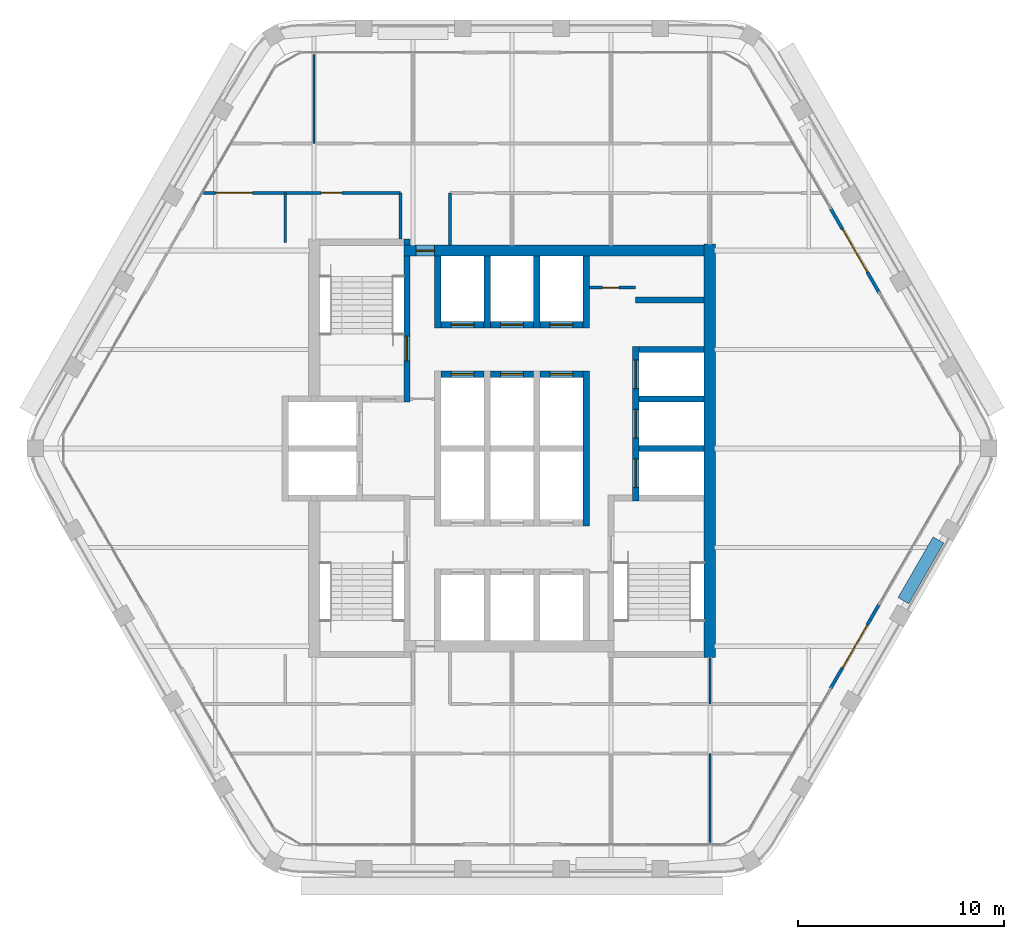
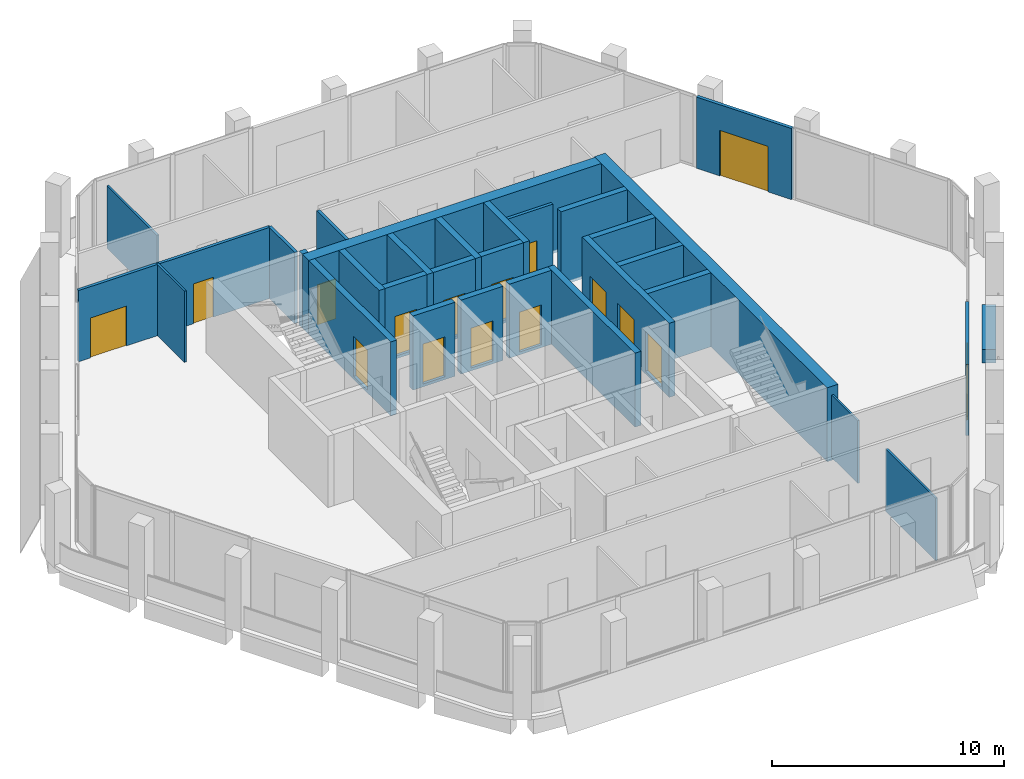
# One storey, part 9 of 14: 31 walls, 16 doors, 16 openings.
"""IFC4 building model written with IfcOpenShell, lengths in metres."""

import ifcopenshell
import ifcopenshell.guid

model = None  # the IFC model being written
_history = None  # IfcOwnerHistory: only IFC2X3 demands one
_inside = {}  # id of a spatial element -> (the spatial element, [elements in it])
_under = {}  # id of a project, library or spatial element -> (it, [spatial elements below it])
_declared = {}  # id of a project -> (the project, [libraries it declares])
_typed = {}  # id of a type object -> (the type object, [elements of that type])
_made_of = {}  # id of a material, layer set ... -> (it, [elements and type objects made of it])


def new_model(schema):
    """Start an empty IFC model of exactly this schema.

    Asked for "IFC4X3", IfcOpenShell would pick the latest addendum, in which some entities
    have other attributes; the version numbers below select the first issue.
    IFC2X3 requires an IfcOwnerHistory on every rooted entity: one is made here for all.
    """
    global model, _history
    if schema == "IFC4X3":
        model = ifcopenshell.file(schema_version=(4, 3, 0, 0))
    else:
        model = ifcopenshell.file(schema=schema)
    _inside.clear()
    _under.clear()
    _declared.clear()
    _typed.clear()
    _made_of.clear()
    _history = None
    if model.schema == "IFC2X3":
        org = make("IfcOrganization", Name="unknown")
        user = make(
            "IfcPersonAndOrganization",
            ThePerson=make("IfcPerson", FamilyName="unknown"),
            TheOrganization=org,
        )
        app = make(
            "IfcApplication",
            ApplicationDeveloper=org,
            Version="unknown",
            ApplicationFullName="unknown",
            ApplicationIdentifier="unknown",
        )
        _history = make(
            "IfcOwnerHistory",
            OwningUser=user,
            OwningApplication=app,
            ChangeAction="ADDED",
            CreationDate=0,
        )
    return model


def make(cls, **values):
    """One entity of the class cls with the attributes given. An attribute that is None is left unset."""
    return model.create_entity(
        cls, **{name: value for name, value in values.items() if value is not None}
    )


def rooted(cls, **values):
    """An entity with a GlobalId (a new one), such as an element, a storey or a relation."""
    return make(cls, GlobalId=ifcopenshell.guid.new(), OwnerHistory=_history, **values)


def si_unit(unit_type, name, prefix=None):
    """IfcSIUnit, for example si_unit("LENGTHUNIT", "METRE", prefix="MILLI")."""
    return make("IfcSIUnit", UnitType=unit_type, Prefix=prefix, Name=name)


def assignment(units):
    """IfcUnitAssignment: the units of a project."""
    return None if units is None else make("IfcUnitAssignment", Units=units)


def point(xyz):
    """IfcCartesianPoint."""
    return None if xyz is None else make("IfcCartesianPoint", Coordinates=xyz)


def direction(xyz):
    """IfcDirection."""
    return None if xyz is None else make("IfcDirection", DirectionRatios=xyz)


def frame(location, z_axis=None, x_axis=None):
    """IfcAxis2Placement3D, a coordinate frame: its origin and axes. An axis left out is left unset."""
    return make(
        "IfcAxis2Placement3D",
        Location=point(location),
        Axis=direction(z_axis),
        RefDirection=direction(x_axis),
    )


def frame_2d(location, x_axis=None):
    """IfcAxis2Placement2D, a coordinate frame in the plane: its origin and x axis."""
    return make(
        "IfcAxis2Placement2D", Location=point(location), RefDirection=direction(x_axis)
    )


def origin():
    """The frame at (0, 0, 0) with its axes left unset."""
    return frame((0.0, 0.0, 0.0))


def place(relative_to, where):
    """IfcLocalPlacement: puts the frame where relative to a parent placement (None: the world)."""
    return make(
        "IfcLocalPlacement", PlacementRelTo=relative_to, RelativePlacement=where
    )


def context(
    kind, dimensions, precision=None, world=None, true_north=None, identifier=None
):
    """IfcGeometricRepresentationContext, for example the 3D "Model" context."""
    return make(
        "IfcGeometricRepresentationContext",
        ContextIdentifier=identifier,
        ContextType=kind,
        CoordinateSpaceDimension=dimensions,
        Precision=precision,
        WorldCoordinateSystem=world,
        TrueNorth=true_north,
    )


def subcontext(parent, identifier, kind, view, scale=None):
    """IfcGeometricRepresentationSubContext, for example "Body" below "Model"."""
    return make(
        "IfcGeometricRepresentationSubContext",
        ContextIdentifier=identifier,
        ContextType=kind,
        ParentContext=parent,
        TargetScale=scale,
        TargetView=view,
    )


def project(units=None, contexts=None):
    """IfcProject with its units and contexts."""
    return rooted(
        "IfcProject",
        Name="project",
        RepresentationContexts=contexts,
        UnitsInContext=assignment(units),
    )


def spatial(cls, under=None, at=None, **own):
    """A site, building, storey or space (cls), placed at a placement, below another one or the project."""
    s = rooted(cls, ObjectPlacement=at, **own)
    if under is not None:
        _under.setdefault(under.id(), (under, []))[1].append(s)
    return s


def profile(cls, at=None, kind="AREA", **sizes):
    """A parametric profile (cls). Its sizes go by their IFC names, for example OverallWidth=200.0."""
    return make(cls, ProfileType=kind, Position=at, **sizes)


def rectangle(**sizes):
    """IfcRectangleProfileDef."""
    return profile("IfcRectangleProfileDef", **sizes)


def extrude(swept, where, along, depth):
    """IfcExtrudedAreaSolid: the profile swept, set in the frame where, extruded along a direction by depth."""
    return make(
        "IfcExtrudedAreaSolid",
        SweptArea=swept,
        Position=where,
        ExtrudedDirection=direction(along),
        Depth=depth,
    )


def shape(context_of_items, identifier, shape_type, items):
    """IfcShapeRepresentation: the items that make up one representation, for example the "Body"."""
    return make(
        "IfcShapeRepresentation",
        ContextOfItems=context_of_items,
        RepresentationIdentifier=identifier,
        RepresentationType=shape_type,
        Items=items,
    )


def material(Name=None, Category=None):
    """IfcMaterial."""
    return make("IfcMaterial", Name=Name, Category=Category)


def layer(
    of_material, thickness, ventilated=None, Name=None, Category=None, Priority=None
):
    """IfcMaterialLayer: one layer of a wall or slab, of a material (None: an air gap)."""
    return make(
        "IfcMaterialLayer",
        Material=of_material,
        LayerThickness=thickness,
        IsVentilated=ventilated,
        Name=Name,
        Category=Category,
        Priority=Priority,
    )


def layer_set(layers, Name=None):
    """IfcMaterialLayerSet."""
    return make("IfcMaterialLayerSet", MaterialLayers=layers, LayerSetName=Name)


def made_of(thing, what):
    """Note that an element or type object is made of a material, layer set ...; save() writes the relation."""
    if what is not None:
        _made_of.setdefault(what.id(), (what, []))[1].append(thing)
    return thing


def type_object(cls, material=None, **own):
    """A type object (cls), such as IfcWallType, which elements share."""
    return made_of(rooted(cls, **own), material)


def element(
    cls,
    number,
    at=None,
    inside=None,
    cuts=None,
    type_object=None,
    material=None,
    context=None,
    identifier="Body",
    shape_type=None,
    held_by="IfcProductDefinitionShape",
    body=None,
    shapes=None,
    **own,
):
    """One element of the class cls, such as IfcWall. Its Tag is "e" and its number.

    at: its placement. inside: the storey or other place that contains it. cuts: it is an
    opening in that element (IfcRelVoidsElement). A single representation is given by context,
    identifier, shape_type and body (its items); several are given by shapes. held_by: the class
    of the entity that holds the representations. save() writes the other relations.
    """
    e = rooted(cls, Tag="e%d" % number, ObjectPlacement=at, **own)
    if body is not None:
        shapes = [shape(context, identifier, shape_type, body)]
    if shapes is not None:
        e.Representation = make(held_by, Representations=shapes)
    if inside is not None:
        _inside.setdefault(inside.id(), (inside, []))[1].append(e)
    if cuts is not None:
        rooted(
            "IfcRelVoidsElement", RelatingBuildingElement=cuts, RelatedOpeningElement=e
        )
    if type_object is not None:
        _typed.setdefault(type_object.id(), (type_object, []))[1].append(e)
    return made_of(e, material)


def fill(opening, filler):
    """IfcRelFillsElement: the door or window that sits in an opening."""
    return rooted(
        "IfcRelFillsElement",
        RelatingOpeningElement=opening,
        RelatedBuildingElement=filler,
    )


def aggregate(whole, parts):
    """IfcRelAggregates: a whole, such as a stair, and the parts it consists of."""
    return rooted("IfcRelAggregates", RelatingObject=whole, RelatedObjects=parts)


def save(model, path):
    """Write the relations noted so far, then the file.

    IfcRelAggregates (storeys below a building ...), IfcRelContainedInSpatialStructure (elements
    in a storey), IfcRelDefinesByType, IfcRelAssociatesMaterial and IfcRelDeclares: one each for
    every whole, place, type object, material and project.
    """
    for whole, parts in _under.values():
        aggregate(whole, parts)
    for where, things in _inside.values():
        rooted(
            "IfcRelContainedInSpatialStructure",
            RelatedElements=things,
            RelatingStructure=where,
        )
    for kind, things in _typed.values():
        rooted("IfcRelDefinesByType", RelatedObjects=things, RelatingType=kind)
    for what, things in _made_of.values():
        rooted("IfcRelAssociatesMaterial", RelatedObjects=things, RelatingMaterial=what)
    for by, libraries in _declared.values():
        rooted("IfcRelDeclares", RelatingContext=by, RelatedDefinitions=libraries)
    model.write(path)


model = new_model("IFC4")

# Units and contexts
model_context = context("Model", 3, precision=1e-05, world=origin(), true_north=direction((0.0, 1.0)))
body_context = subcontext(model_context, "Body", "Model", "MODEL_VIEW")
ifc_project = project(units=[si_unit("LENGTHUNIT", "METRE"), si_unit("AREAUNIT", "SQUARE_METRE"), si_unit("VOLUMEUNIT", "CUBIC_METRE"), si_unit("PLANEANGLEUNIT", "RADIAN"), si_unit("MASSUNIT", "GRAM", prefix="KILO")], contexts=[model_context])

# Site, building, storey
site_placement = place(None, origin())
site = spatial("IfcSite", under=ifc_project, at=site_placement, CompositionType="ELEMENT")
building_placement = place(site_placement, origin())
building = spatial("IfcBuilding", under=site, at=building_placement, Name="Kolab Exchange Tower", CompositionType="ELEMENT")
storey_placement = place(building_placement, frame((0.0, 0.0, 242.300048828125)))
storey = spatial("IfcBuildingStorey", under=building, at=storey_placement, Name="L53", CompositionType="ELEMENT", Elevation=242.300048828125)

# Wall, opening, door
ifc_material_1 = material(Name="Concrete C50/60", Category="concrete")
ifc_layer_1 = layer(ifc_material_1, 0.550048828125)
ifc_layer_set_1 = layer_set([ifc_layer_1], Name="Concrete C50/60")
wall_type_1 = type_object("IfcWallType", Name="CORE WALL 550 C50/60", PredefinedType="SHEAR", material=ifc_layer_set_1)
wall_1_placement = place(storey_placement, frame((-5.25, 9.60009765625, -0.150146484375), z_axis=(0.0, 0.0, 1.0), x_axis=(1.0, 0.0, 0.0)))
wall_1 = element("IfcWall", 1, at=wall_1_placement, inside=storey, type_object=wall_type_1, Name="wall/L53/core/031", PredefinedType="SHEAR", context=body_context, shape_type="SweptSolid", body=[
    extrude(rectangle(XDim=14.574951171875, YDim=0.550048828125, at=frame_2d((7.28759765625, 0.0))), origin(), (0.0, 0.0, 1.0), 3.900146484375),
])
opening_1_placement = place(wall_1_placement, frame((0.60009765625, 0.0, 0.14990234375)))
opening_1 = element("IfcOpeningElement", 2, at=opening_1_placement, cuts=wall_1, Name="Opening D6-295", PredefinedType="OPENING", context=body_context, shape_type="SweptSolid", body=[
    extrude(rectangle(XDim=0.89990234375, YDim=2.10009765625, at=frame_2d((0.449951171875, 1.050048828125))), frame((0.0, 0.28515625, 0.0), z_axis=(0.0, -1.0, 0.0), x_axis=(1.0, 0.0, 0.0)), (0.0, 0.0, 1.0), 0.570068359375),
])
ifc_material_2 = material(Name="Steel S235", Category="steel")
door_type_1 = type_object("IfcDoorType", Name="CORE DOOR 900 EI 120", OperationType="SINGLE_SWING_LEFT", PredefinedType="DOOR", material=ifc_material_2)
door_1_placement = place(opening_1_placement, frame((0.89990234375, 0.0, 0.0), z_axis=(0.0, 0.0, 1.0), x_axis=(-1.0, 0.0, 0.0)))
door_1 = element("IfcDoor", 3, at=door_1_placement, inside=storey, type_object=door_type_1, Name="Core lobby door", OperationType="SINGLE_SWING_RIGHT", OverallHeight=2.10009765625, OverallWidth=0.89990234375, PredefinedType="DOOR", context=body_context, shape_type="SweptSolid", body=[
    extrude(rectangle(XDim=0.89990234375, YDim=2.10009765625, at=frame_2d((0.449951171875, 1.050048828125))), frame((0.0, 0.02490234375, 0.0), z_axis=(0.0, -1.0, 0.0), x_axis=(1.0, 0.0, 0.0)), (0.0, 0.0, 1.0), 0.050048828125),
])
fill(opening_1, door_1)

# Wall
wall_2_placement = place(storey_placement, frame((9.60009765625, -10.14990234375, -0.150146484375), z_axis=(0.0, 0.0, 1.0), x_axis=(0.0, 1.0, 0.0)))
element("IfcWall", 4, at=wall_2_placement, inside=storey, type_object=wall_type_1, Name="wall/L53/core/058", PredefinedType="SHEAR", context=body_context, shape_type="SweptSolid", body=[
    extrude(rectangle(XDim=20.074951171875, YDim=0.550048828125, at=frame_2d((10.03759765625, 0.0))), origin(), (0.0, 0.0, 1.0), 3.900146484375),
])

# Wall, opening, door
ifc_material_3 = material(Name="Aluminium EN AW-6063 T6", Category="aluminium")
ifc_layer_2 = layer(ifc_material_3, 0.159912109375)
ifc_layer_set_2 = layer_set([ifc_layer_2], Name="Aluminium EN AW-6063 T6")
wall_type_2 = type_object("IfcWallType", Name="DOOR SURROUND WALL 160 ALUMINIUM FRAMED", PredefinedType="PARTITIONING", material=ifc_layer_set_2)
wall_3_placement = place(storey_placement, frame((15.44677734375, 11.65478515625, 0.0), z_axis=(0.0, 0.0, 1.0), x_axis=(0.499978080042, -0.866038058908, 0.0)))
wall_3 = element("IfcWall", 5, at=wall_3_placement, inside=storey, type_object=wall_type_2, Name="Door surround wall", PredefinedType="PARTITIONING", context=body_context, shape_type="SweptSolid", body=[
    extrude(rectangle(XDim=4.739990234375, YDim=0.159912109375, at=frame_2d((2.3701171875, 0.0))), origin(), (0.0, 0.0, 1.0), 3.75),
])
opening_2_placement = place(wall_3_placement, frame((1.169921875, 0.0, 0.0)))
opening_2 = element("IfcOpeningElement", 6, at=opening_2_placement, cuts=wall_3, Name="Opening GD1-090", PredefinedType="OPENING", context=body_context, shape_type="SweptSolid", body=[
    extrude(rectangle(XDim=2.39990234375, YDim=2.39990234375, at=frame_2d((1.199951171875, 1.199951171875))), frame((0.0, 0.08984375, 0.0), z_axis=(0.0, -1.0, 0.0), x_axis=(1.0, 0.0, 0.0)), (0.0, 0.0, 1.0), 0.179931640625),
])
door_type_2 = type_object("IfcDoorType", Name="LOGGIA SLIDING GLASS DOOR 2400 X 2400", OperationType="DOUBLE_DOOR_SINGLE_SWING", PredefinedType="DOOR", material=ifc_material_3)
door_2_placement = place(opening_2_placement, origin())
door_2 = element("IfcDoor", 7, at=door_2_placement, inside=storey, type_object=door_type_2, Name="Loggia door", OperationType="DOUBLE_DOOR_SLIDING", OverallHeight=2.39990234375, OverallWidth=2.39990234375, PredefinedType="DOOR", context=body_context, shape_type="SweptSolid", body=[
    extrude(rectangle(XDim=2.39990234375, YDim=2.39990234375, at=frame_2d((1.199951171875, 1.199951171875))), frame((0.0, 0.02490234375, 0.0), z_axis=(0.0, -1.0, 0.0), x_axis=(1.0, 0.0, 0.0)), (0.0, 0.0, 1.0), 0.050048828125),
])
fill(opening_2, door_2)

wall_4_placement = place(storey_placement, frame((17.816650390625, -7.5498046875, 0.0), z_axis=(0.0, 0.0, 1.0), x_axis=(-0.499978080042, -0.866038058908, 0.0)))
wall_4 = element("IfcWall", 8, at=wall_4_placement, inside=storey, type_object=wall_type_2, Name="Door surround wall", PredefinedType="PARTITIONING", context=body_context, shape_type="SweptSolid", body=[
    extrude(rectangle(XDim=4.739990234375, YDim=0.159912109375, at=frame_2d((2.3701171875, 0.0))), origin(), (0.0, 0.0, 1.0), 3.75),
])
opening_3_placement = place(wall_4_placement, frame((1.169921875, 0.0, 0.0)))
opening_3 = element("IfcOpeningElement", 9, at=opening_3_placement, cuts=wall_4, Name="Opening GD1-091", PredefinedType="OPENING", context=body_context, shape_type="SweptSolid", body=[
    extrude(rectangle(XDim=2.39990234375, YDim=2.39990234375, at=frame_2d((1.199951171875, 1.199951171875))), frame((0.0, 0.08984375, 0.0), z_axis=(0.0, -1.0, 0.0), x_axis=(1.0, 0.0, 0.0)), (0.0, 0.0, 1.0), 0.179931640625),
])
door_3_placement = place(opening_3_placement, origin())
door_3 = element("IfcDoor", 10, at=door_3_placement, inside=storey, type_object=door_type_2, Name="Loggia door", OperationType="DOUBLE_DOOR_SLIDING", OverallHeight=2.39990234375, OverallWidth=2.39990234375, PredefinedType="DOOR", context=body_context, shape_type="SweptSolid", body=[
    extrude(rectangle(XDim=2.39990234375, YDim=2.39990234375, at=frame_2d((1.199951171875, 1.199951171875))), frame((0.0, 0.02490234375, 0.0), z_axis=(0.0, -1.0, 0.0), x_axis=(1.0, 0.0, 0.0)), (0.0, 0.0, 1.0), 0.050048828125),
])
fill(opening_3, door_3)

# Walls
ifc_layer_3 = layer(ifc_material_1, 0.300048828125)
ifc_layer_set_3 = layer_set([ifc_layer_3], Name="Concrete C50/60")
wall_type_3 = type_object("IfcWallType", Name="LIFT SHAFT WALL 300 C50/60", PredefinedType="STANDARD", material=ifc_layer_set_3)
for number, where, z_axis, x_axis, name in (
    (11, (6.14990234375, 0.0, -0.150146484375), (0.0, 0.0, 1.0), (1.0, 0.0, 0.0), "wall/L53/core/018"),
    (12, (6.14990234375, 2.39990234375, -0.150146484375), (0.0, 0.0, 1.0), (1.0, 0.0, 0.0), "wall/L53/core/022"),
):
    element("IfcWall", number, at=place(storey_placement, frame(where, z_axis=z_axis, x_axis=x_axis)), inside=storey, type_object=wall_type_3, Name=name, PredefinedType="STANDARD", context=body_context, shape_type="SweptSolid", body=[
        extrude(rectangle(XDim=3.175048828125, YDim=0.300048828125, at=frame_2d((1.58740234375, 0.0))), origin(), (0.0, 0.0, 1.0), 3.900146484375),
    ])

# Wall, opening, door
wall_5_placement = place(storey_placement, frame((-3.449951171875, 3.60009765625, -0.150146484375), z_axis=(0.0, 0.0, 1.0), x_axis=(1.0, 0.0, 0.0)))
wall_5 = element("IfcWall", 13, at=wall_5_placement, inside=storey, type_object=wall_type_3, Name="wall/L53/core/023", PredefinedType="STANDARD", context=body_context, shape_type="SweptSolid", body=[
    extrude(rectangle(XDim=2.099853515625, YDim=0.300048828125, at=frame_2d((1.0498046875, 0.0))), origin(), (0.0, 0.0, 1.0), 3.900146484375),
])
opening_4_placement = place(wall_5_placement, frame((0.5, 0.0, 0.14990234375)))
opening_4 = element("IfcOpeningElement", 14, at=opening_4_placement, cuts=wall_5, Name="Opening LD1-115", PredefinedType="OPENING", context=body_context, shape_type="SweptSolid", body=[
    extrude(rectangle(XDim=1.10009765625, YDim=2.10009765625, at=frame_2d((0.550048828125, 1.050048828125))), frame((0.0, 0.16015625, 0.0), z_axis=(0.0, -1.0, 0.0), x_axis=(1.0, 0.0, 0.0)), (0.0, 0.0, 1.0), 0.320068359375),
])
ifc_material_4 = material(Name="Stainless steel 316", Category="steel")
door_type_3 = type_object("IfcDoorType", Name="LANDING DOOR 1100 PASSENGER", OperationType="DOUBLE_DOOR_SLIDING", PredefinedType="DOOR", material=ifc_material_4)
door_4_placement = place(opening_4_placement, origin())
door_4 = element("IfcDoor", 15, at=door_4_placement, inside=storey, type_object=door_type_3, Name="Landing door HR4", OperationType="DOUBLE_DOOR_SLIDING", OverallHeight=2.10009765625, OverallWidth=1.10009765625, PredefinedType="DOOR", context=body_context, shape_type="SweptSolid", body=[
    extrude(rectangle(XDim=1.10009765625, YDim=2.10009765625, at=frame_2d((0.550048828125, 1.050048828125))), frame((0.0, 0.02490234375, 0.0), z_axis=(0.0, -1.0, 0.0), x_axis=(1.0, 0.0, 0.0)), (0.0, 0.0, 1.0), 0.050048828125),
])
fill(opening_4, door_4)

wall_6_placement = place(storey_placement, frame((-1.050048828125, 3.60009765625, -0.150146484375), z_axis=(0.0, 0.0, 1.0), x_axis=(1.0, 0.0, 0.0)))
wall_6 = element("IfcWall", 16, at=wall_6_placement, inside=storey, type_object=wall_type_3, Name="wall/L53/core/024", PredefinedType="STANDARD", context=body_context, shape_type="SweptSolid", body=[
    extrude(rectangle(XDim=2.10009765625, YDim=0.300048828125, at=frame_2d((1.050048828125, 0.0))), origin(), (0.0, 0.0, 1.0), 3.900146484375),
])
opening_5_placement = place(wall_6_placement, frame((0.5, 0.0, 0.14990234375)))
opening_5 = element("IfcOpeningElement", 17, at=opening_5_placement, cuts=wall_6, Name="Opening LD1-116", PredefinedType="OPENING", context=body_context, shape_type="SweptSolid", body=[
    extrude(rectangle(XDim=1.10009765625, YDim=2.10009765625, at=frame_2d((0.550048828125, 1.050048828125))), frame((0.0, 0.16015625, 0.0), z_axis=(0.0, -1.0, 0.0), x_axis=(1.0, 0.0, 0.0)), (0.0, 0.0, 1.0), 0.320068359375),
])
door_5_placement = place(opening_5_placement, origin())
door_5 = element("IfcDoor", 18, at=door_5_placement, inside=storey, type_object=door_type_3, Name="Landing door HR5", OperationType="DOUBLE_DOOR_SLIDING", OverallHeight=2.10009765625, OverallWidth=1.10009765625, PredefinedType="DOOR", context=body_context, shape_type="SweptSolid", body=[
    extrude(rectangle(XDim=1.10009765625, YDim=2.10009765625, at=frame_2d((0.550048828125, 1.050048828125))), frame((0.0, 0.02490234375, 0.0), z_axis=(0.0, -1.0, 0.0), x_axis=(1.0, 0.0, 0.0)), (0.0, 0.0, 1.0), 0.050048828125),
])
fill(opening_5, door_5)

wall_7_placement = place(storey_placement, frame((1.35009765625, 3.60009765625, -0.150146484375), z_axis=(0.0, 0.0, 1.0), x_axis=(1.0, 0.0, 0.0)))
wall_7 = element("IfcWall", 19, at=wall_7_placement, inside=storey, type_object=wall_type_3, Name="wall/L53/core/025", PredefinedType="STANDARD", context=body_context, shape_type="SweptSolid", body=[
    extrude(rectangle(XDim=2.099853515625, YDim=0.300048828125, at=frame_2d((1.0498046875, 0.0))), origin(), (0.0, 0.0, 1.0), 3.900146484375),
])
opening_6_placement = place(wall_7_placement, frame((0.5, 0.0, 0.14990234375)))
opening_6 = element("IfcOpeningElement", 20, at=opening_6_placement, cuts=wall_7, Name="Opening LD1-117", PredefinedType="OPENING", context=body_context, shape_type="SweptSolid", body=[
    extrude(rectangle(XDim=1.10009765625, YDim=2.10009765625, at=frame_2d((0.550048828125, 1.050048828125))), frame((0.0, 0.16015625, 0.0), z_axis=(0.0, -1.0, 0.0), x_axis=(1.0, 0.0, 0.0)), (0.0, 0.0, 1.0), 0.320068359375),
])
door_6_placement = place(opening_6_placement, origin())
door_6 = element("IfcDoor", 21, at=door_6_placement, inside=storey, type_object=door_type_3, Name="Landing door HR6", OperationType="DOUBLE_DOOR_SLIDING", OverallHeight=2.10009765625, OverallWidth=1.10009765625, PredefinedType="DOOR", context=body_context, shape_type="SweptSolid", body=[
    extrude(rectangle(XDim=1.10009765625, YDim=2.10009765625, at=frame_2d((0.550048828125, 1.050048828125))), frame((0.0, 0.02490234375, 0.0), z_axis=(0.0, -1.0, 0.0), x_axis=(1.0, 0.0, 0.0)), (0.0, 0.0, 1.0), 0.050048828125),
])
fill(opening_6, door_6)

# Wall
wall_8_placement = place(storey_placement, frame((6.14990234375, 4.800048828125, -0.150146484375), z_axis=(0.0, 0.0, 1.0), x_axis=(1.0, 0.0, 0.0)))
element("IfcWall", 22, at=wall_8_placement, inside=storey, type_object=wall_type_3, Name="wall/L53/core/026", PredefinedType="STANDARD", context=body_context, shape_type="SweptSolid", body=[
    extrude(rectangle(XDim=3.175048828125, YDim=0.300048828125, at=frame_2d((1.58740234375, 0.0))), origin(), (0.0, 0.0, 1.0), 3.900146484375),
])

# Wall, opening, door
wall_9_placement = place(storey_placement, frame((-3.449951171875, 6.0, -0.150146484375), z_axis=(0.0, 0.0, 1.0), x_axis=(1.0, 0.0, 0.0)))
wall_9 = element("IfcWall", 23, at=wall_9_placement, inside=storey, type_object=wall_type_3, Name="wall/L53/core/027", PredefinedType="STANDARD", context=body_context, shape_type="SweptSolid", body=[
    extrude(rectangle(XDim=2.099853515625, YDim=0.300048828125, at=frame_2d((1.0498046875, 0.0))), origin(), (0.0, 0.0, 1.0), 3.900146484375),
])
opening_7_placement = place(wall_9_placement, frame((0.5, 0.0, 0.14990234375)))
opening_7 = element("IfcOpeningElement", 24, at=opening_7_placement, cuts=wall_9, Name="Opening LD1-109", PredefinedType="OPENING", context=body_context, shape_type="SweptSolid", body=[
    extrude(rectangle(XDim=1.10009765625, YDim=2.10009765625, at=frame_2d((0.550048828125, 1.050048828125))), frame((0.0, 0.16015625, 0.0), z_axis=(0.0, -1.0, 0.0), x_axis=(1.0, 0.0, 0.0)), (0.0, 0.0, 1.0), 0.320068359375),
])
door_7_placement = place(opening_7_placement, origin())
door_7 = element("IfcDoor", 25, at=door_7_placement, inside=storey, type_object=door_type_3, Name="Landing door HR1", OperationType="DOUBLE_DOOR_SLIDING", OverallHeight=2.10009765625, OverallWidth=1.10009765625, PredefinedType="DOOR", context=body_context, shape_type="SweptSolid", body=[
    extrude(rectangle(XDim=1.10009765625, YDim=2.10009765625, at=frame_2d((0.550048828125, 1.050048828125))), frame((0.0, 0.02490234375, 0.0), z_axis=(0.0, -1.0, 0.0), x_axis=(1.0, 0.0, 0.0)), (0.0, 0.0, 1.0), 0.050048828125),
])
fill(opening_7, door_7)

wall_10_placement = place(storey_placement, frame((-1.050048828125, 6.0, -0.150146484375), z_axis=(0.0, 0.0, 1.0), x_axis=(1.0, 0.0, 0.0)))
wall_10 = element("IfcWall", 26, at=wall_10_placement, inside=storey, type_object=wall_type_3, Name="wall/L53/core/028", PredefinedType="STANDARD", context=body_context, shape_type="SweptSolid", body=[
    extrude(rectangle(XDim=2.10009765625, YDim=0.300048828125, at=frame_2d((1.050048828125, 0.0))), origin(), (0.0, 0.0, 1.0), 3.900146484375),
])
opening_8_placement = place(wall_10_placement, frame((0.5, 0.0, 0.14990234375)))
opening_8 = element("IfcOpeningElement", 27, at=opening_8_placement, cuts=wall_10, Name="Opening LD1-113", PredefinedType="OPENING", context=body_context, shape_type="SweptSolid", body=[
    extrude(rectangle(XDim=1.10009765625, YDim=2.10009765625, at=frame_2d((0.550048828125, 1.050048828125))), frame((0.0, 0.16015625, 0.0), z_axis=(0.0, -1.0, 0.0), x_axis=(1.0, 0.0, 0.0)), (0.0, 0.0, 1.0), 0.320068359375),
])
door_8_placement = place(opening_8_placement, origin())
door_8 = element("IfcDoor", 28, at=door_8_placement, inside=storey, type_object=door_type_3, Name="Landing door HR2", OperationType="DOUBLE_DOOR_SLIDING", OverallHeight=2.10009765625, OverallWidth=1.10009765625, PredefinedType="DOOR", context=body_context, shape_type="SweptSolid", body=[
    extrude(rectangle(XDim=1.10009765625, YDim=2.10009765625, at=frame_2d((0.550048828125, 1.050048828125))), frame((0.0, 0.02490234375, 0.0), z_axis=(0.0, -1.0, 0.0), x_axis=(1.0, 0.0, 0.0)), (0.0, 0.0, 1.0), 0.050048828125),
])
fill(opening_8, door_8)

wall_11_placement = place(storey_placement, frame((1.35009765625, 6.0, -0.150146484375), z_axis=(0.0, 0.0, 1.0), x_axis=(1.0, 0.0, 0.0)))
wall_11 = element("IfcWall", 29, at=wall_11_placement, inside=storey, type_object=wall_type_3, Name="wall/L53/core/029", PredefinedType="STANDARD", context=body_context, shape_type="SweptSolid", body=[
    extrude(rectangle(XDim=2.099853515625, YDim=0.300048828125, at=frame_2d((1.0498046875, 0.0))), origin(), (0.0, 0.0, 1.0), 3.900146484375),
])
opening_9_placement = place(wall_11_placement, frame((0.5, 0.0, 0.14990234375)))
opening_9 = element("IfcOpeningElement", 30, at=opening_9_placement, cuts=wall_11, Name="Opening LD1-114", PredefinedType="OPENING", context=body_context, shape_type="SweptSolid", body=[
    extrude(rectangle(XDim=1.10009765625, YDim=2.10009765625, at=frame_2d((0.550048828125, 1.050048828125))), frame((0.0, 0.16015625, 0.0), z_axis=(0.0, -1.0, 0.0), x_axis=(1.0, 0.0, 0.0)), (0.0, 0.0, 1.0), 0.320068359375),
])
door_9_placement = place(opening_9_placement, origin())
door_9 = element("IfcDoor", 31, at=door_9_placement, inside=storey, type_object=door_type_3, Name="Landing door HR3", OperationType="DOUBLE_DOOR_SLIDING", OverallHeight=2.10009765625, OverallWidth=1.10009765625, PredefinedType="DOOR", context=body_context, shape_type="SweptSolid", body=[
    extrude(rectangle(XDim=1.10009765625, YDim=2.10009765625, at=frame_2d((0.550048828125, 1.050048828125))), frame((0.0, 0.02490234375, 0.0), z_axis=(0.0, -1.0, 0.0), x_axis=(1.0, 0.0, 0.0)), (0.0, 0.0, 1.0), 0.050048828125),
])
fill(opening_9, door_9)

# Walls
wall_12_placement = place(storey_placement, frame((6.0, 7.199951171875, -0.150146484375), z_axis=(0.0, 0.0, 1.0), x_axis=(1.0, 0.0, 0.0)))
element("IfcWall", 32, at=wall_12_placement, inside=storey, type_object=wall_type_3, Name="wall/L53/core/030", PredefinedType="STANDARD", context=body_context, shape_type="SweptSolid", body=[
    extrude(rectangle(XDim=3.324951171875, YDim=0.300048828125, at=frame_2d((1.66259765625, 0.0))), origin(), (0.0, 0.0, 1.0), 3.900146484375),
])
for number, where, z_axis, x_axis, name in (
    (33, (-3.60009765625, 5.85009765625, -0.150146484375), (0.0, 0.0, 1.0), (0.0, 1.0, 0.0), "wall/L53/core/045"),
    (34, (-1.199951171875, 5.85009765625, -0.150146484375), (0.0, 0.0, 1.0), (0.0, 1.0, 0.0), "wall/L53/core/048"),
    (35, (1.199951171875, 5.85009765625, -0.150146484375), (0.0, 0.0, 1.0), (0.0, 1.0, 0.0), "wall/L53/core/051"),
):
    element("IfcWall", number, at=place(storey_placement, frame(where, z_axis=z_axis, x_axis=x_axis)), inside=storey, type_object=wall_type_3, Name=name, PredefinedType="STANDARD", context=body_context, shape_type="SweptSolid", body=[
        extrude(rectangle(XDim=3.474853515625, YDim=0.300048828125, at=frame_2d((1.7373046875, 0.0))), origin(), (0.0, 0.0, 1.0), 3.900146484375),
    ])
wall_13_placement = place(storey_placement, frame((3.60009765625, -3.75, -0.150146484375), z_axis=(0.0, 0.0, 1.0), x_axis=(0.0, 1.0, 0.0)))
element("IfcWall", 36, at=wall_13_placement, inside=storey, type_object=wall_type_3, Name="wall/L53/core/053", PredefinedType="STANDARD", context=body_context, shape_type="SweptSolid", body=[
    extrude(rectangle(XDim=7.5, YDim=0.300048828125, at=frame_2d((3.75, 0.0))), origin(), (0.0, 0.0, 1.0), 3.900146484375),
])
wall_14_placement = place(storey_placement, frame((3.60009765625, 5.85009765625, -0.150146484375), z_axis=(0.0, 0.0, 1.0), x_axis=(0.0, 1.0, 0.0)))
element("IfcWall", 37, at=wall_14_placement, inside=storey, type_object=wall_type_3, Name="wall/L53/core/054", PredefinedType="STANDARD", context=body_context, shape_type="SweptSolid", body=[
    extrude(rectangle(XDim=3.474853515625, YDim=0.300048828125, at=frame_2d((1.7373046875, 0.0))), origin(), (0.0, 0.0, 1.0), 3.900146484375),
])

# Wall, openings, doors
wall_15_placement = place(storey_placement, frame((6.0, -2.550048828125, -0.150146484375), z_axis=(0.0, 0.0, 1.0), x_axis=(0.0, 1.0, 0.0)))
wall_15 = element("IfcWall", 38, at=wall_15_placement, inside=storey, type_object=wall_type_3, Name="wall/L53/core/057", PredefinedType="STANDARD", context=body_context, shape_type="SweptSolid", body=[
    extrude(rectangle(XDim=7.5, YDim=0.300048828125, at=frame_2d((3.75, 0.0))), origin(), (0.0, 0.0, 1.0), 3.900146484375),
])
opening_10_placement = place(wall_15_placement, frame((0.64990234375, 0.0, 0.14990234375)))
opening_10 = element("IfcOpeningElement", 39, at=opening_10_placement, cuts=wall_15, Name="Opening LD3-037", PredefinedType="OPENING", context=body_context, shape_type="SweptSolid", body=[
    extrude(rectangle(XDim=1.39990234375, YDim=2.10009765625, at=frame_2d((0.699951171875, 1.050048828125))), frame((0.0, 0.16015625, 0.0), z_axis=(0.0, -1.0, 0.0), x_axis=(1.0, 0.0, 0.0)), (0.0, 0.0, 1.0), 0.320068359375),
])
opening_11_placement = place(wall_15_placement, frame((3.050048828125, 0.0, 0.14990234375)))
opening_11 = element("IfcOpeningElement", 40, at=opening_11_placement, cuts=wall_15, Name="Opening LD3-038", PredefinedType="OPENING", context=body_context, shape_type="SweptSolid", body=[
    extrude(rectangle(XDim=1.39990234375, YDim=2.10009765625, at=frame_2d((0.699951171875, 1.050048828125))), frame((0.0, 0.16015625, 0.0), z_axis=(0.0, -1.0, 0.0), x_axis=(1.0, 0.0, 0.0)), (0.0, 0.0, 1.0), 0.320068359375),
])
opening_12_placement = place(wall_15_placement, frame((5.449951171875, 0.0, 0.14990234375)))
opening_12 = element("IfcOpeningElement", 41, at=opening_12_placement, cuts=wall_15, Name="Opening LD3-039", PredefinedType="OPENING", context=body_context, shape_type="SweptSolid", body=[
    extrude(rectangle(XDim=1.39990234375, YDim=2.10009765625, at=frame_2d((0.699951171875, 1.050048828125))), frame((0.0, 0.16015625, 0.0), z_axis=(0.0, -1.0, 0.0), x_axis=(1.0, 0.0, 0.0)), (0.0, 0.0, 1.0), 0.320068359375),
])
door_type_4 = type_object("IfcDoorType", Name="LANDING DOOR 1400 SERVICE", OperationType="DOUBLE_DOOR_SLIDING", PredefinedType="DOOR", material=ifc_material_4)
door_10_placement = place(opening_10_placement, origin())
door_10 = element("IfcDoor", 42, at=door_10_placement, inside=storey, type_object=door_type_4, Name="Landing door SV1", OperationType="DOUBLE_DOOR_SLIDING", OverallHeight=2.10009765625, OverallWidth=1.39990234375, PredefinedType="DOOR", context=body_context, shape_type="SweptSolid", body=[
    extrude(rectangle(XDim=1.39990234375, YDim=2.10009765625, at=frame_2d((0.699951171875, 1.050048828125))), frame((0.0, 0.02490234375, 0.0), z_axis=(0.0, -1.0, 0.0), x_axis=(1.0, 0.0, 0.0)), (0.0, 0.0, 1.0), 0.050048828125),
])
fill(opening_10, door_10)
door_11_placement = place(opening_11_placement, origin())
door_11 = element("IfcDoor", 43, at=door_11_placement, inside=storey, type_object=door_type_4, Name="Landing door SV2", OperationType="DOUBLE_DOOR_SLIDING", OverallHeight=2.10009765625, OverallWidth=1.39990234375, PredefinedType="DOOR", context=body_context, shape_type="SweptSolid", body=[
    extrude(rectangle(XDim=1.39990234375, YDim=2.10009765625, at=frame_2d((0.699951171875, 1.050048828125))), frame((0.0, 0.02490234375, 0.0), z_axis=(0.0, -1.0, 0.0), x_axis=(1.0, 0.0, 0.0)), (0.0, 0.0, 1.0), 0.050048828125),
])
fill(opening_11, door_11)
door_12_placement = place(opening_12_placement, origin())
door_12 = element("IfcDoor", 44, at=door_12_placement, inside=storey, type_object=door_type_4, Name="Landing door SV3", OperationType="DOUBLE_DOOR_SLIDING", OverallHeight=2.10009765625, OverallWidth=1.39990234375, PredefinedType="DOOR", context=body_context, shape_type="SweptSolid", body=[
    extrude(rectangle(XDim=1.39990234375, YDim=2.10009765625, at=frame_2d((0.699951171875, 1.050048828125))), frame((0.0, 0.02490234375, 0.0), z_axis=(0.0, -1.0, 0.0), x_axis=(1.0, 0.0, 0.0)), (0.0, 0.0, 1.0), 0.050048828125),
])
fill(opening_12, door_12)

# Walls
ifc_material_5 = material(Name="Gypsum board", Category="gypsum")
ifc_layer_4 = layer(ifc_material_5, 0.10009765625)
ifc_layer_set_4 = layer_set([ifc_layer_4], Name="Gypsum board")
wall_type_4 = type_object("IfcWallType", Name="PARTITION 100", PredefinedType="PARTITIONING", material=ifc_layer_set_4)
wall_16_placement = place(storey_placement, frame((9.60009765625, -19.114501953125, 0.0), z_axis=(0.0, 0.0, 1.0), x_axis=(0.0, 1.0, 0.0)))
element("IfcWall", 45, at=wall_16_placement, inside=storey, type_object=wall_type_4, Name="Partition 000", PredefinedType="PARTITIONING", context=body_context, shape_type="SweptSolid", body=[
    extrude(rectangle(XDim=4.314453125, YDim=0.10009765625, at=frame_2d((2.1572265625, 0.0))), origin(), (0.0, 0.0, 1.0), 3.29296875),
])
wall_17_placement = place(storey_placement, frame((9.60009765625, -12.39990234375, 0.0), z_axis=(0.0, 0.0, 1.0), x_axis=(0.0, 1.0, 0.0)))
element("IfcWall", 46, at=wall_17_placement, inside=storey, type_object=wall_type_4, Name="Partition 001", PredefinedType="PARTITIONING", context=body_context, shape_type="SweptSolid", body=[
    extrude(rectangle(XDim=2.25, YDim=0.10009765625, at=frame_2d((1.125, 0.0))), origin(), (0.0, 0.0, 1.0), 3.29296875),
])
wall_18_placement = place(storey_placement, frame((-9.60009765625, 14.800048828125, 0.0), z_axis=(0.0, 0.0, 1.0), x_axis=(0.0, 1.0, 0.0)))
element("IfcWall", 47, at=wall_18_placement, inside=storey, type_object=wall_type_4, Name="Partition 016", PredefinedType="PARTITIONING", context=body_context, shape_type="SweptSolid", body=[
    extrude(rectangle(XDim=4.314453125, YDim=0.10009765625, at=frame_2d((2.1572265625, 0.0))), origin(), (0.0, 0.0, 1.0), 3.29296875),
])
wall_19_placement = place(storey_placement, frame((-11.0, 10.0, 0.0), z_axis=(0.0, 0.0, 1.0), x_axis=(0.0, 1.0, 0.0)))
element("IfcWall", 48, at=wall_19_placement, inside=storey, type_object=wall_type_4, Name="Partition 018", PredefinedType="PARTITIONING", context=body_context, shape_type="SweptSolid", body=[
    extrude(rectangle(XDim=2.39990234375, YDim=0.10009765625, at=frame_2d((1.199951171875, 0.0))), origin(), (0.0, 0.0, 1.0), 3.75),
])
ifc_layer_5 = layer(ifc_material_5, 0.14990234375)
ifc_layer_set_5 = layer_set([ifc_layer_5], Name="Gypsum board")
wall_type_5 = type_object("IfcWallType", Name="PARTITION 150 FIRE-RATED", PredefinedType="PARTITIONING", material=ifc_layer_set_5)
wall_20_placement = place(storey_placement, frame((-3.0, 9.875, 0.0), z_axis=(0.0, 0.0, 1.0), x_axis=(0.0, 1.0, 0.0)))
element("IfcWall", 49, at=wall_20_placement, inside=storey, type_object=wall_type_5, Name="Partition 011", PredefinedType="PARTITIONING", context=body_context, shape_type="SweptSolid", body=[
    extrude(rectangle(XDim=2.52490234375, YDim=0.14990234375, at=frame_2d((1.262451171875, 0.0))), origin(), (0.0, 0.0, 1.0), 3.75),
])
wall_21_placement = place(storey_placement, frame((-5.39990234375, 10.14990234375, 0.0), z_axis=(0.0, 0.0, 1.0), x_axis=(0.0, 1.0, 0.0)))
element("IfcWall", 50, at=wall_21_placement, inside=storey, type_object=wall_type_5, Name="Partition 015", PredefinedType="PARTITIONING", context=body_context, shape_type="SweptSolid", body=[
    extrude(rectangle(XDim=2.25, YDim=0.14990234375, at=frame_2d((1.125, 0.0))), origin(), (0.0, 0.0, 1.0), 3.75),
])

# Wall, opening, door
wall_22_placement = place(storey_placement, frame((3.75, 7.800048828125, 0.0), z_axis=(0.0, 0.0, 1.0), x_axis=(1.0, 0.0, 0.0)))
wall_22 = element("IfcWall", 51, at=wall_22_placement, inside=storey, type_object=wall_type_5, Name="Partition 023", PredefinedType="PARTITIONING", context=body_context, shape_type="SweptSolid", body=[
    extrude(rectangle(XDim=2.25, YDim=0.14990234375, at=frame_2d((1.125, 0.0))), origin(), (0.0, 0.0, 1.0), 3.75),
])
opening_13_placement = place(wall_22_placement, frame((0.64990234375, 0.0, 0.0)))
opening_13 = element("IfcOpeningElement", 52, at=opening_13_placement, cuts=wall_22, Name="Opening D7-035", PredefinedType="OPENING", context=body_context, shape_type="SweptSolid", body=[
    extrude(rectangle(XDim=0.800048828125, YDim=2.10009765625, at=frame_2d((0.39990234375, 1.050048828125))), frame((0.0, 0.0849609375, 0.0), z_axis=(0.0, -1.0, 0.0), x_axis=(1.0, 0.0, 0.0)), (0.0, 0.0, 1.0), 0.169921875),
])
door_type_5 = type_object("IfcDoorType", Name="FLUSH DOOR 800 FD60", OperationType="SINGLE_SWING_LEFT", PredefinedType="DOOR", material=ifc_material_2)
door_13_placement = place(opening_13_placement, origin())
door_13 = element("IfcDoor", 53, at=door_13_placement, inside=storey, type_object=door_type_5, Name="Door L53-023", OperationType="SINGLE_SWING_LEFT", OverallHeight=2.10009765625, OverallWidth=0.800048828125, PredefinedType="DOOR", context=body_context, shape_type="SweptSolid", body=[
    extrude(rectangle(XDim=0.800048828125, YDim=2.10009765625, at=frame_2d((0.39990234375, 1.050048828125))), frame((0.0, 0.02490234375, 0.0), z_axis=(0.0, -1.0, 0.0), x_axis=(1.0, 0.0, 0.0)), (0.0, 0.0, 1.0), 0.050048828125),
])
fill(opening_13, door_13)

# Wall, openings, doors
wall_23_placement = place(storey_placement, frame((-14.97021484375, 12.39990234375, 0.0), z_axis=(0.0, 0.0, 1.0), x_axis=(1.0, 0.0, 0.0)))
wall_23 = element("IfcWall", 54, at=wall_23_placement, inside=storey, type_object=wall_type_5, Name="Partition 024", PredefinedType="PARTITIONING", context=body_context, shape_type="SweptSolid", body=[
    extrude(rectangle(XDim=9.5703125, YDim=0.14990234375, at=frame_2d((4.78515625, 0.0))), origin(), (0.0, 0.0, 1.0), 3.75),
])
opening_14_placement = place(wall_23_placement, frame((5.715087890625, 0.0, 0.0)))
opening_14 = element("IfcOpeningElement", 55, at=opening_14_placement, cuts=wall_23, Name="Opening D1-674", PredefinedType="OPENING", context=body_context, shape_type="SweptSolid", body=[
    extrude(rectangle(XDim=1.0, YDim=2.10009765625, at=frame_2d((0.5, 1.050048828125))), frame((0.0, 0.0849609375, 0.0), z_axis=(0.0, -1.0, 0.0), x_axis=(1.0, 0.0, 0.0)), (0.0, 0.0, 1.0), 0.169921875),
])
opening_15_placement = place(wall_23_placement, frame((0.588623046875, 0.0, 0.0)))
opening_15 = element("IfcOpeningElement", 56, at=opening_15_placement, cuts=wall_23, Name="Opening D2-070", PredefinedType="OPENING", context=body_context, shape_type="SweptSolid", body=[
    extrude(rectangle(XDim=1.800048828125, YDim=2.10009765625, at=frame_2d((0.89990234375, 1.050048828125))), frame((0.0, 0.0849609375, 0.0), z_axis=(0.0, -1.0, 0.0), x_axis=(1.0, 0.0, 0.0)), (0.0, 0.0, 1.0), 0.169921875),
])
door_type_6 = type_object("IfcDoorType", Name="DOUBLE DOOR 1800 FD60", OperationType="DOUBLE_DOOR_SINGLE_SWING", PredefinedType="DOOR", material=ifc_material_2)
door_14_placement = place(opening_15_placement, frame((1.800048828125, 0.0, 0.0), z_axis=(0.0, 0.0, 1.0), x_axis=(-1.0, 0.0, 0.0)))
door_14 = element("IfcDoor", 57, at=door_14_placement, inside=storey, type_object=door_type_6, Name="Door L53-049", OperationType="SINGLE_SWING_LEFT", OverallHeight=2.10009765625, OverallWidth=1.800048828125, PredefinedType="DOOR", context=body_context, shape_type="SweptSolid", body=[
    extrude(rectangle(XDim=1.800048828125, YDim=2.10009765625, at=frame_2d((0.89990234375, 1.050048828125))), frame((0.0, 0.02490234375, 0.0), z_axis=(0.0, -1.0, 0.0), x_axis=(1.0, 0.0, 0.0)), (0.0, 0.0, 1.0), 0.050048828125),
])
fill(opening_15, door_14)
door_type_7 = type_object("IfcDoorType", Name="FLUSH DOOR 1000 FD60", OperationType="SINGLE_SWING_LEFT", PredefinedType="DOOR", material=ifc_material_2)
door_15_placement = place(opening_14_placement, frame((1.0, 0.0, 0.0), z_axis=(0.0, 0.0, 1.0), x_axis=(-1.0, 0.0, 0.0)))
door_15 = element("IfcDoor", 58, at=door_15_placement, inside=storey, type_object=door_type_7, Name="Door L53-034", OperationType="SINGLE_SWING_LEFT", OverallHeight=2.10009765625, OverallWidth=1.0, PredefinedType="DOOR", context=body_context, shape_type="SweptSolid", body=[
    extrude(rectangle(XDim=1.0, YDim=2.10009765625, at=frame_2d((0.5, 1.050048828125))), frame((0.0, 0.02490234375, 0.0), z_axis=(0.0, -1.0, 0.0), x_axis=(1.0, 0.0, 0.0)), (0.0, 0.0, 1.0), 0.050048828125),
])
fill(opening_14, door_15)

# Wall
ifc_material_6 = material(Name="Granite facing", Category="masonry")
ifc_layer_6 = layer(ifc_material_6, 0.0400390625)
ifc_material_7 = material(Name="Concrete C40/50 precast", Category="concrete")
ifc_layer_7 = layer(ifc_material_7, 0.56005859375)
ifc_layer_set_6 = layer_set([ifc_layer_6, ifc_layer_7], Name="Concrete C40/50 precast")
wall_type_6 = type_object("IfcWallType", Name="PLANTER BOX 600 X 700 SOIL DEPTH 550", PredefinedType="USERDEFINED", material=ifc_layer_set_6)
wall_24_placement = place(storey_placement, frame((20.68701171875, -4.438232421875, 0.0), z_axis=(0.0, 0.0, 1.0), x_axis=(-0.500008388397, -0.866020560687, 0.0)))
element("IfcWall", 59, at=wall_24_placement, inside=storey, type_object=wall_type_6, Name="Planter", ObjectType="PLANTER", PredefinedType="USERDEFINED", context=body_context, shape_type="SweptSolid", body=[
    extrude(rectangle(XDim=3.39990234375, YDim=0.60009765625, at=frame_2d((1.699951171875, 0.0))), origin(), (0.0, 0.0, 1.0), 0.699951171875),
])

# Wall, opening, door
ifc_layer_8 = layer(ifc_material_1, 0.300048828125)
ifc_layer_set_7 = layer_set([ifc_layer_8], Name="Concrete C50/60")
wall_type_7 = type_object("IfcWallType", Name="STAIR ENCLOSURE WALL 300 C50/60", PredefinedType="STANDARD", material=ifc_layer_set_7)
wall_25_placement = place(storey_placement, frame((-5.10009765625, 2.25, -0.150146484375), z_axis=(0.0, 0.0, 1.0), x_axis=(0.0, 1.0, 0.0)))
wall_25 = element("IfcWall", 60, at=wall_25_placement, inside=storey, type_object=wall_type_7, Name="wall/L53/core/041", PredefinedType="STANDARD", context=body_context, shape_type="SweptSolid", body=[
    extrude(rectangle(XDim=7.074951171875, YDim=0.300048828125, at=frame_2d((3.53759765625, 0.0))), origin(), (0.0, 0.0, 1.0), 3.900146484375),
])
opening_16_placement = place(wall_25_placement, frame((2.0, 0.0, 0.14990234375)))
opening_16 = element("IfcOpeningElement", 61, at=opening_16_placement, cuts=wall_25, Name="Opening D4-076", PredefinedType="OPENING", context=body_context, shape_type="SweptSolid", body=[
    extrude(rectangle(XDim=1.199951171875, YDim=2.10009765625, at=frame_2d((0.60009765625, 1.050048828125))), frame((0.0, 0.16015625, 0.0), z_axis=(0.0, -1.0, 0.0), x_axis=(1.0, 0.0, 0.0)), (0.0, 0.0, 1.0), 0.320068359375),
])
door_type_8 = type_object("IfcDoorType", Name="STAIR DOOR 1200 EI 120", OperationType="SINGLE_SWING_LEFT", PredefinedType="DOOR", material=ifc_material_2)
door_16_placement = place(opening_16_placement, origin())
door_16 = element("IfcDoor", 62, at=door_16_placement, inside=storey, type_object=door_type_8, Name="Stair 1 door", OperationType="SINGLE_SWING_LEFT", OverallHeight=2.10009765625, OverallWidth=1.199951171875, PredefinedType="DOOR", context=body_context, shape_type="SweptSolid", body=[
    extrude(rectangle(XDim=1.199951171875, YDim=2.10009765625, at=frame_2d((0.60009765625, 1.050048828125))), frame((0.0, 0.02490234375, 0.0), z_axis=(0.0, -1.0, 0.0), x_axis=(1.0, 0.0, 0.0)), (0.0, 0.0, 1.0), 0.050048828125),
])
fill(opening_16, door_16)

# Wall
wall_26_placement = place(storey_placement, frame((-5.10009765625, 9.875, -0.150146484375), z_axis=(0.0, 0.0, 1.0), x_axis=(0.0, 1.0, 0.0)))
element("IfcWall", 63, at=wall_26_placement, inside=storey, type_object=wall_type_7, Name="wall/L53/core/042", PredefinedType="STANDARD", context=body_context, shape_type="SweptSolid", body=[
    extrude(rectangle(XDim=0.27490234375, YDim=0.300048828125, at=frame_2d((0.137451171875, 0.0))), origin(), (0.0, 0.0, 1.0), 3.900146484375),
])

save(model, "model.ifc")
